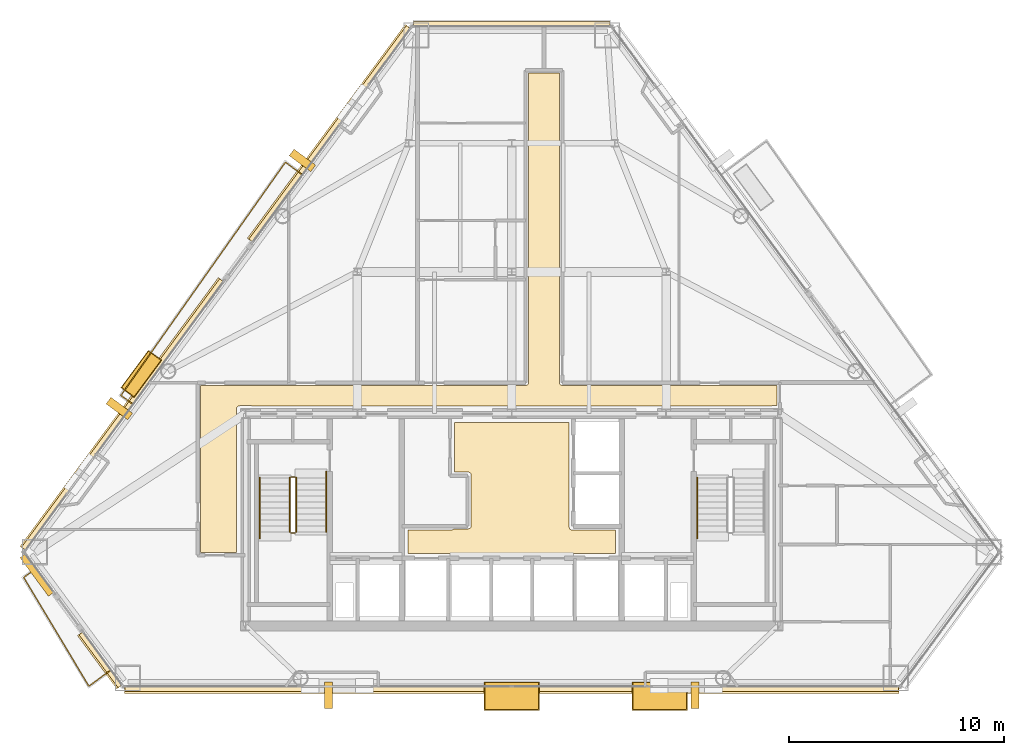
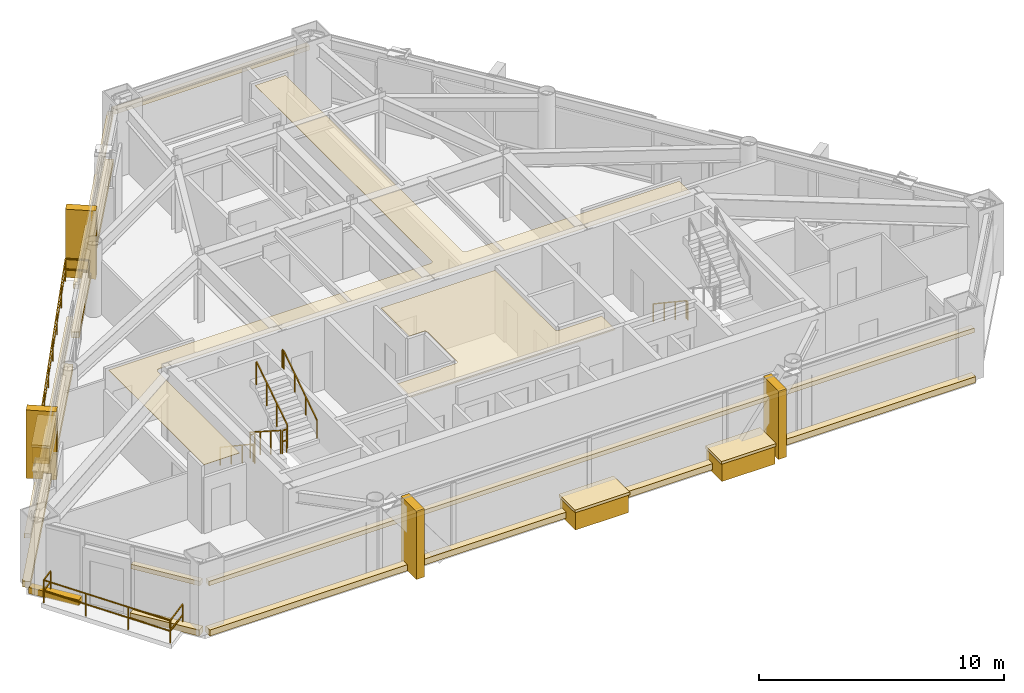
# One storey, part 10 of 11: 22 coverings, 9 railings.
"""IFC4 building model written with IfcOpenShell, lengths in metres."""

from ifc_helpers import new_model, si_unit, direction, frame, origin, origin_2d, place, context, subcontext, project, spatial, polyline, rectangle, outline, extrude, material, layer, layer_set, type_object, element, save


model = new_model("IFC4")

# Units and contexts
model_context = context("Model", 3, precision=1e-05, world=origin(), true_north=direction((0.0, 1.0)))
body_context = subcontext(model_context, "Body", "Model", "MODEL_VIEW")
ifc_project = project(units=[si_unit("LENGTHUNIT", "METRE"), si_unit("AREAUNIT", "SQUARE_METRE"), si_unit("VOLUMEUNIT", "CUBIC_METRE"), si_unit("PLANEANGLEUNIT", "RADIAN"), si_unit("MASSUNIT", "GRAM", prefix="KILO")], contexts=[model_context])

# Site, building, storey
site_placement = place(None, origin())
site = spatial("IfcSite", under=ifc_project, at=site_placement, CompositionType="ELEMENT")
building_placement = place(site_placement, origin())
building = spatial("IfcBuilding", under=site, at=building_placement, Name="Talgorran Terracotta Tower", CompositionType="ELEMENT")
storey_placement = place(building_placement, frame((0.0, 0.0, 158.10009765625)))
storey = spatial("IfcBuildingStorey", under=building, at=storey_placement, Name="L41", CompositionType="ELEMENT", Elevation=158.10009765625)

# Coverings
ifc_material_1 = material(Name="Kiln-Fired Terracotta Ochre Ceramic", Category="masonry")
ifc_layer_1 = layer(ifc_material_1, 0.179931640625, Name="COV_BAGUETTE_TERRACOTTA_SCREEN")
ifc_layer_set_1 = layer_set([ifc_layer_1], Name="Kiln-Fired Terracotta Ochre Ceramic")
covering_type_1 = type_object("IfcCoveringType", Name="COV_BAGUETTE_TERRACOTTA_SCREEN", PredefinedType="CLADDING", material=ifc_layer_set_1)
covering_1_placement = place(storey_placement, frame((-19.156005859375, -15.66796875, 2.41015625), z_axis=(0.0, 0.0, 1.0), x_axis=(0.593770031276, -0.804634792909, 0.0)))
element("IfcCovering", 1, at=covering_1_placement, inside=storey, type_object=covering_type_1, Name="L41 Terracotta Baguette Solar Screen Assembly F11", PredefinedType="CLADDING", context=body_context, shape_type="SweptSolid", body=[
    extrude(rectangle(XDim=3.064697265625, YDim=0.260009765625, at=origin_2d()), origin(), (0.0, 0.0, 1.0), 0.219970703125),
])
covering_2_placement = place(storey_placement, frame((0.0, -17.030029296875, 2.41015625), z_axis=(0.0, 0.0, 1.0), x_axis=(1.0, 0.0, 0.0)))
element("IfcCovering", 2, at=covering_2_placement, inside=storey, type_object=covering_type_1, Name="L41 Terracotta Baguette Solar Screen Assembly F1", PredefinedType="CLADDING", context=body_context, shape_type="SweptSolid", body=[
    extrude(rectangle(XDim=36.060302734375, YDim=0.260009765625, at=origin_2d()), origin(), (0.0, 0.0, 1.0), 0.219970703125),
])
covering_3_placement = place(storey_placement, frame((0.0, 13.9345703125, 2.41015625), z_axis=(0.0, 0.0, 1.0), x_axis=(-1.0, 0.0, 0.0)))
element("IfcCovering", 3, at=covering_3_placement, inside=storey, type_object=covering_type_1, Name="L41 Terracotta Baguette Solar Screen Assembly F4", PredefinedType="CLADDING", context=body_context, shape_type="SweptSolid", body=[
    extrude(rectangle(XDim=9.177978515625, YDim=0.260009765625, at=origin_2d()), origin(), (0.0, 0.0, 1.0), 0.219970703125),
])
covering_4_placement = place(storey_placement, frame((-8.476318359375, 8.830078125, 2.41015625), z_axis=(0.0, 0.0, 1.0), x_axis=(-0.593784074712, -0.804624429544, 0.0)))
element("IfcCovering", 4, at=covering_4_placement, inside=storey, type_object=covering_type_1, Name="L41 Terracotta Baguette Solar Screen Assembly F60", PredefinedType="CLADDING", context=body_context, shape_type="SweptSolid", body=[
    extrude(rectangle(XDim=12.36669921875, YDim=0.260009765625, at=origin_2d()), origin(), (0.0, 0.0, 1.0), 0.219970703125),
])
covering_5_placement = place(storey_placement, frame((-18.1298828125, -4.251220703125, 2.41015625), z_axis=(0.0, 0.0, 1.0), x_axis=(-0.593784074712, -0.804624429544, 0.0)))
element("IfcCovering", 5, at=covering_5_placement, inside=storey, type_object=covering_type_1, Name="L41 Terracotta Baguette Solar Screen Assembly F61", PredefinedType="CLADDING", context=body_context, shape_type="SweptSolid", body=[
    extrude(rectangle(XDim=15.549072265625, YDim=0.260009765625, at=origin_2d()), origin(), (0.0, 0.0, 1.0), 0.219970703125),
])
ifc_material_2 = material(Name="Mineral Fibre Acoustic Tile")
ifc_layer_2 = layer(ifc_material_2, 0.02490234375, Name="COV_CEIL_ACOUSTIC")
ifc_layer_set_2 = layer_set([ifc_layer_2], Name="Mineral Fibre Acoustic Tile")
covering_type_2 = type_object("IfcCoveringType", Name="COV_CEIL_ACOUSTIC", PredefinedType="CEILING", material=ifc_layer_set_2)
covering_6_placement = place(storey_placement, frame((0.0, 0.0, 3.260009765625)))
element("IfcCovering", 6, at=covering_6_placement, inside=storey, type_object=covering_type_2, Name="CEIL-L41-2", PredefinedType="CEILING", context=body_context, shape_type="SweptSolid", body=[
    extrude(outline(polyline([(-12.6884765625, -3.84521484375), (-12.703369140625, -3.84521484375), (-12.715087890625, -3.845947265625), (-12.7265625, -3.84765625), (-12.73779296875, -3.8505859375), (-12.748779296875, -3.8544921875), (-12.75927734375, -3.859375), (-12.76708984375, -3.863525390625), (-12.777099609375, -3.86962890625), (-12.78662109375, -3.876708984375), (-12.79541015625, -3.884521484375), (-12.803466796875, -3.893310546875), (-12.810302734375, -3.90283203125), (-12.81640625, -3.9130859375), (-12.820556640625, -3.920654296875), (-12.82568359375, -3.931396484375), (-12.82958984375, -3.9423828125), (-12.83251953125, -3.953857421875), (-12.833984375, -3.96533203125), (-12.834716796875, -3.97705078125), (-12.8349609375, -10.6650390625), (-14.514892578125, -10.6650390625), (-14.514892578125, -2.885009765625), (0.64990234375, -2.885009765625), (0.66162109375, -2.884521484375), (0.67333984375, -2.8828125), (0.6845703125, -2.8798828125), (0.69287109375, -2.87744140625), (0.7041015625, -2.87353515625), (0.714599609375, -2.868408203125), (0.724853515625, -2.8623046875), (0.734375, -2.85546875), (0.742919921875, -2.847412109375), (0.7509765625, -2.8388671875), (0.756591796875, -2.83203125), (0.763671875, -2.822509765625), (0.769775390625, -2.8125), (0.774658203125, -2.8017578125), (0.77880859375, -2.79052734375), (0.781494140625, -2.779296875), (0.783203125, -2.767578125), (0.783935546875, -2.755615234375), (0.784912109375, 11.6650390625), (2.215087890625, 11.6650390625), (2.215087890625, -2.75), (2.215576171875, -2.76171875), (2.21728515625, -2.773193359375), (2.22021484375, -2.78466796875), (2.22265625, -2.79296875), (2.2265625, -2.803955078125), (2.231689453125, -2.814697265625), (2.237548828125, -2.82470703125), (2.24462890625, -2.834228515625), (2.25244140625, -2.843017578125), (2.26123046875, -2.850830078125), (2.26806640625, -2.8564453125), (2.277587890625, -2.863525390625), (2.28759765625, -2.86962890625), (2.29833984375, -2.874755859375), (2.309326171875, -2.878662109375), (2.32080078125, -2.881591796875), (2.33251953125, -2.88330078125), (2.34423828125, -2.8837890625), (12.364990234375, -2.885009765625), (12.364990234375, -3.830078125), (12.169921875, -3.830078125), (12.158203125, -3.83056640625), (12.146484375, -3.832275390625), (12.13525390625, -3.835205078125), (12.1240234375, -3.839111328125), (12.11328125, -3.84423828125), (12.112060546875, -3.844970703125), (7.432861328125, -3.844970703125), (6.968017578125, -3.843017578125), (6.967529296875, -3.843017578125), (0.232666015625, -3.844970703125), (-0.23193359375, -3.843017578125), (-0.232421875, -3.843017578125), (-6.96728515625, -3.844970703125), (-7.431884765625, -3.843017578125), (-7.4326171875, -3.843017578125), (-12.112060546875, -3.844970703125), (-12.11328125, -3.84423828125), (-12.1240234375, -3.839111328125), (-12.13525390625, -3.835205078125), (-12.146484375, -3.832275390625), (-12.158203125, -3.83056640625), (-12.169921875, -3.830078125), (-12.6298828125, -3.830078125), (-12.641845703125, -3.83056640625), (-12.6533203125, -3.832275390625), (-12.664794921875, -3.835205078125), (-12.67578125, -3.839111328125), (-12.6865234375, -3.84423828125), (-12.6884765625, -3.84521484375)])), origin(), (0.0, 0.0, 1.0), 0.019775390625),
])
ifc_material_3 = material(Name="Flush Moisture-Resistant Plaster")
ifc_layer_3 = layer(ifc_material_3, 0.01806640625, Name="COV_CEIL_PLASTER")
ifc_layer_set_3 = layer_set([ifc_layer_3], Name="Flush Moisture-Resistant Plaster")
covering_type_3 = type_object("IfcCoveringType", Name="COV_CEIL_PLASTER", PredefinedType="CEILING", material=ifc_layer_set_3)
covering_7_placement = place(storey_placement, frame((0.0, 0.0, 3.260009765625)))
element("IfcCovering", 7, at=covering_7_placement, inside=storey, type_object=covering_type_3, Name="CEIL-L41-1", PredefinedType="CEILING", context=body_context, shape_type="SweptSolid", body=[
    extrude(outline(polyline([(-2.70263671875, -9.570068359375), (-2.02001953125, -9.570068359375), (-2.00830078125, -9.5693359375), (-1.99658203125, -9.567626953125), (-1.985107421875, -9.564697265625), (-1.97412109375, -9.560791015625), (-1.96337890625, -9.555908203125), (-1.953369140625, -9.5498046875), (-1.94384765625, -9.542724609375), (-1.93505859375, -9.534912109375), (-1.92724609375, -9.526123046875), (-1.920166015625, -9.5166015625), (-1.914306640625, -9.506591796875), (-1.9091796875, -9.495849609375), (-1.9052734375, -9.48486328125), (-1.90234375, -9.473388671875), (-1.900634765625, -9.4619140625), (-1.89990234375, -9.449951171875), (-1.89990234375, -7.050048828125), (-1.900634765625, -7.0380859375), (-1.90234375, -7.026611328125), (-1.9052734375, -7.01513671875), (-1.9091796875, -7.004150390625), (-1.914306640625, -6.993408203125), (-1.920166015625, -6.9833984375), (-1.92724609375, -6.973876953125), (-1.93505859375, -6.965087890625), (-1.94384765625, -6.957275390625), (-1.953369140625, -6.9501953125), (-1.96337890625, -6.944091796875), (-1.97412109375, -6.939208984375), (-1.985107421875, -6.935302734375), (-1.99658203125, -6.932373046875), (-2.00830078125, -6.9306640625), (-2.02001953125, -6.929931640625), (-2.679931640625, -6.929931640625), (-2.679931640625, -4.6201171875), (2.679931640625, -4.6201171875), (2.679931640625, -9.5), (2.6806640625, -9.51171875), (2.682373046875, -9.5234375), (2.685302734375, -9.534912109375), (2.689208984375, -9.5458984375), (2.694091796875, -9.556640625), (2.7001953125, -9.566650390625), (2.707275390625, -9.576171875), (2.715087890625, -9.5849609375), (2.723876953125, -9.5927734375), (2.7333984375, -9.599853515625), (2.743408203125, -9.605712890625), (2.754150390625, -9.61083984375), (2.76513671875, -9.61474609375), (2.776611328125, -9.61767578125), (2.7880859375, -9.619384765625), (2.800048828125, -9.6201171875), (4.830078125, -9.6201171875), (4.830078125, -10.72998046875), (-4.830078125, -10.72998046875), (-4.830078125, -9.6201171875), (-2.800048828125, -9.6201171875), (-2.7880859375, -9.619384765625), (-2.776611328125, -9.61767578125), (-2.76513671875, -9.61474609375), (-2.754150390625, -9.61083984375), (-2.743408203125, -9.605712890625), (-2.7333984375, -9.599853515625), (-2.723876953125, -9.5927734375), (-2.715087890625, -9.5849609375), (-2.707275390625, -9.576171875), (-2.70263671875, -9.570068359375)])), origin(), (0.0, 0.0, 1.0), 0.019775390625),
])
ifc_material_4 = material(Name="Honed Limestone and Terracotta Planter", Category="masonry")
ifc_layer_4 = layer(ifc_material_4, 0.1201171875, Name="COV_PLANTER_BOX")
ifc_layer_set_4 = layer_set([ifc_layer_4], Name="Honed Limestone and Terracotta Planter")
covering_type_4 = type_object("IfcCoveringType", Name="COV_PLANTER_BOX", PredefinedType="CLADDING", material=ifc_layer_set_4)
for number, where, z_axis, x_axis, name in (
    (8, (0.0, -17.3701171875, -0.18017578125), (0.0, 0.0, 1.0), (1.0, 0.0, 0.0), "L41 Staggered South Facade Planter Box 1"),
    (9, (6.901123046875, -17.3701171875, -0.18017578125), (0.0, 0.0, 1.0), (1.0, 0.0, 0.0), "L41 Staggered South Facade Planter Box 2"),
):
    element("IfcCovering", number, at=place(storey_placement, frame(where, z_axis=z_axis, x_axis=x_axis)), inside=storey, type_object=covering_type_4, Name=name, PredefinedType="CLADDING", context=body_context, shape_type="SweptSolid", body=[
        extrude(rectangle(XDim=2.5, YDim=1.25, at=origin_2d()), origin(), (0.0, 0.0, 1.0), 0.919921875),
    ])
covering_8_placement = place(storey_placement, frame((-17.268310546875, -2.350830078125, -0.02001953125), z_axis=(0.0, 0.0, 1.0), x_axis=(-0.593784074712, -0.804624429544, 0.0)))
element("IfcCovering", 10, at=covering_8_placement, inside=storey, type_object=covering_type_4, Name="L41 Staggered Balcony Planter Box BAL-NW", PredefinedType="CLADDING", context=body_context, shape_type="SweptSolid", body=[
    extrude(rectangle(XDim=2.10009765625, YDim=0.719970703125, at=origin_2d()), origin(), (0.0, 0.0, 1.0), 0.860107421875),
])
ifc_material_5 = material(Name="Kiln-Fired Terracotta Planter Rim", Category="masonry")
ifc_layer_5 = layer(ifc_material_5, 0.10009765625, Name="COV_PLANTER_RIM")
ifc_layer_set_5 = layer_set([ifc_layer_5], Name="Kiln-Fired Terracotta Planter Rim")
covering_type_5 = type_object("IfcCoveringType", Name="COV_PLANTER_RIM", PredefinedType="CLADDING", material=ifc_layer_set_5)
for number, where, z_axis, x_axis, name in (
    (11, (0.0, -17.3701171875, 0.7099609375), (0.0, 0.0, 1.0), (1.0, 0.0, 0.0), "L41 South Planter Terracotta Rim 1"),
    (12, (6.901123046875, -17.3701171875, 0.7099609375), (0.0, 0.0, 1.0), (1.0, 0.0, 0.0), "L41 South Planter Terracotta Rim 2"),
):
    element("IfcCovering", number, at=place(storey_placement, frame(where, z_axis=z_axis, x_axis=x_axis)), inside=storey, type_object=covering_type_5, Name=name, PredefinedType="CLADDING", context=body_context, shape_type="SweptSolid", body=[
        extrude(rectangle(XDim=2.580078125, YDim=1.320068359375, at=origin_2d()), origin(), (0.0, 0.0, 1.0), 0.139892578125),
    ])
covering_9_placement = place(storey_placement, frame((-17.268310546875, -2.350830078125, 0.7998046875), z_axis=(0.0, 0.0, 1.0), x_axis=(-0.593784074712, -0.804624429544, 0.0)))
element("IfcCovering", 13, at=covering_9_placement, inside=storey, type_object=covering_type_5, Name="L41 Balcony Planter Terracotta Rim BAL-NW", PredefinedType="CLADDING", context=body_context, shape_type="SweptSolid", body=[
    extrude(rectangle(XDim=2.179931640625, YDim=0.780029296875, at=origin_2d()), origin(), (0.0, 0.0, 1.0), 0.1201171875),
])
ifc_material_6 = material(Name="Honed Limestone Cladding", Category="masonry")
ifc_layer_6 = layer(ifc_material_6, 0.094970703125, Name="COV_PORTAL_LIME")
ifc_layer_set_6 = layer_set([ifc_layer_6], Name="Honed Limestone Cladding")
covering_type_6 = type_object("IfcCoveringType", Name="COV_PORTAL_LIME", PredefinedType="CLADDING", material=ifc_layer_set_6)
for number, where, z_axis, x_axis, name in (
    (14, (-8.53564453125, -17.330078125, -0.050048828125), (0.0, 0.0, 1.0), (1.0, 0.0, 0.0), "L41 White Striped Portal Fin F1-1"),
    (15, (-9.757568359375, 7.599365234375, -0.050048828125), (0.0, 0.0, 1.0), (-0.593784074712, -0.804624429544, 0.0), "L41 White Striped Portal Fin F5-1"),
):
    element("IfcCovering", number, at=place(storey_placement, frame(where, z_axis=z_axis, x_axis=x_axis)), inside=storey, type_object=covering_type_6, Name=name, PredefinedType="CLADDING", context=body_context, shape_type="SweptSolid", body=[
        extrude(rectangle(XDim=0.3798828125, YDim=1.25, at=origin_2d()), origin(), (0.0, 0.0, 1.0), 3.39990234375),
    ])
ifc_material_7 = material(Name="Kiln-Fired Terracotta Cladding", Category="masonry")
ifc_layer_7 = layer(ifc_material_7, 0.090087890625, Name="COV_PORTAL_TERRA")
ifc_layer_set_7 = layer_set([ifc_layer_7], Name="Kiln-Fired Terracotta Cladding")
covering_type_7 = type_object("IfcCoveringType", Name="COV_PORTAL_TERRA", PredefinedType="CLADDING", material=ifc_layer_set_7)
covering_10_placement = place(storey_placement, frame((-22.12109375, -11.71728515625, -0.0400390625), z_axis=(0.0, 0.0, 1.0), x_axis=(0.593798117967, -0.804614065934, 0.0)))
element("IfcCovering", 16, at=covering_10_placement, inside=storey, type_object=covering_type_7, Name="L41 Striped Postmodern Portal Cladding Band F10", PredefinedType="CLADDING", context=body_context, shape_type="SweptSolid", body=[
    extrude(rectangle(XDim=2.234619140625, YDim=0.340087890625, at=origin_2d()), origin(), (0.0, 0.0, 1.0), 0.300048828125),
])
covering_11_placement = place(storey_placement, frame((-19.18798828125, -15.691650390625, -0.0400390625), z_axis=(0.0, 0.0, 1.0), x_axis=(0.593770031276, -0.804634792909, 0.0)))
element("IfcCovering", 17, at=covering_11_placement, inside=storey, type_object=covering_type_7, Name="L41 Striped Postmodern Portal Cladding Band F11", PredefinedType="CLADDING", context=body_context, shape_type="SweptSolid", body=[
    extrude(rectangle(XDim=3.084716796875, YDim=0.340087890625, at=origin_2d()), origin(), (0.0, 0.0, 1.0), 0.300048828125),
])
covering_12_placement = place(storey_placement, frame((0.0, -17.070068359375, -0.0400390625), z_axis=(0.0, 0.0, 1.0), x_axis=(1.0, 0.0, 0.0)))
element("IfcCovering", 18, at=covering_12_placement, inside=storey, type_object=covering_type_7, Name="L41 Striped Postmodern Portal Cladding Band F1", PredefinedType="CLADDING", context=body_context, shape_type="SweptSolid", body=[
    extrude(rectangle(XDim=36.080322265625, YDim=0.340087890625, at=origin_2d()), origin(), (0.0, 0.0, 1.0), 0.300048828125),
])
covering_13_placement = place(storey_placement, frame((-8.508544921875, 8.85400390625, -0.0400390625), z_axis=(0.0, 0.0, 1.0), x_axis=(-0.593784074712, -0.804624429544, 0.0)))
element("IfcCovering", 19, at=covering_13_placement, inside=storey, type_object=covering_type_7, Name="L41 Striped Postmodern Portal Cladding Band F60", PredefinedType="CLADDING", context=body_context, shape_type="SweptSolid", body=[
    extrude(rectangle(XDim=12.38671875, YDim=0.340087890625, at=origin_2d()), origin(), (0.0, 0.0, 1.0), 0.300048828125),
])
covering_14_placement = place(storey_placement, frame((-18.162109375, -4.227294921875, -0.0400390625), z_axis=(0.0, 0.0, 1.0), x_axis=(-0.593784074712, -0.804624429544, 0.0)))
element("IfcCovering", 20, at=covering_14_placement, inside=storey, type_object=covering_type_7, Name="L41 Striped Postmodern Portal Cladding Band F61", PredefinedType="CLADDING", context=body_context, shape_type="SweptSolid", body=[
    extrude(rectangle(XDim=15.569091796875, YDim=0.340087890625, at=origin_2d()), origin(), (0.0, 0.0, 1.0), 0.300048828125),
])
for number, where, z_axis, x_axis, name in (
    (21, (8.53564453125, -17.330078125, -0.050048828125), (0.0, 0.0, 1.0), (1.0, 0.0, 0.0), "L41 Terracotta Striped Portal Fin F1-2"),
    (22, (-18.293212890625, -3.966796875, -0.050048828125), (0.0, 0.0, 1.0), (-0.593784074712, -0.804624429544, 0.0), "L41 Terracotta Striped Portal Fin F5-2"),
):
    element("IfcCovering", number, at=place(storey_placement, frame(where, z_axis=z_axis, x_axis=x_axis)), inside=storey, type_object=covering_type_7, Name=name, PredefinedType="CLADDING", context=body_context, shape_type="SweptSolid", body=[
        extrude(rectangle(XDim=0.3798828125, YDim=1.25, at=origin_2d()), origin(), (0.0, 0.0, 1.0), 3.39990234375),
    ])

# Railings
ifc_material_8 = material(Name="Laminated Glass and Stainless Steel 316", Category="steel")
railing_type_1 = type_object("IfcRailingType", Name="RL_BALCONY_1150", PredefinedType="BALUSTRADE", material=ifc_material_8)
railing_1_placement = place(storey_placement, frame((-9.771728515625, 6.940185546875, 0.0)))
element("IfcRailing", 23, at=railing_1_placement, inside=storey, type_object=railing_type_1, Name="RL-L41-BAL-BAL-NW", PredefinedType="BALUSTRADE", context=body_context, shape_type="SweptSolid", body=[
    extrude(rectangle(XDim=0.048095703125, YDim=0.048095703125, at=origin_2d()), frame((0.0, 0.0, 1.1259765625), z_axis=(-0.804548248178, 0.593887292635, 0.0), x_axis=(-0.593887292635, -0.804548248178, 0.0)), (0.0, 0.0, 1.0), 0.9677734375),
    extrude(rectangle(XDim=0.048095703125, YDim=0.048095703125, at=origin_2d()), frame((0.0, 0.0, 0.597900390625), z_axis=(-0.804548248178, 0.593887292635, 0.0), x_axis=(-0.593887292635, -0.804548248178, 0.0)), (0.0, 0.0, 1.0), 0.9677734375),
    extrude(rectangle(XDim=0.048095703125, YDim=0.048095703125, at=origin_2d()), frame((-0.778564453125, 0.57470703125, 1.1259765625), z_axis=(-0.576545540147, -0.817065015856, 0.0), x_axis=(0.817065015856, -0.576545540147, 0.0)), (0.0, 0.0, 1.0), 13.30029296875),
    extrude(rectangle(XDim=0.048095703125, YDim=0.048095703125, at=origin_2d()), frame((-0.778564453125, 0.57470703125, 0.597900390625), z_axis=(-0.576545540147, -0.817065015856, 0.0), x_axis=(0.817065015856, -0.576545540147, 0.0)), (0.0, 0.0, 1.0), 13.30029296875),
    extrude(rectangle(XDim=0.048095703125, YDim=0.048095703125, at=origin_2d()), frame((-8.44677734375, -10.29248046875, 1.1259765625), z_axis=(0.804553802816, -0.593879767608, 0.0), x_axis=(0.593879767608, 0.804553802816, 0.0)), (0.0, 0.0, 1.0), 0.684814453125),
    extrude(rectangle(XDim=0.048095703125, YDim=0.048095703125, at=origin_2d()), frame((-8.44677734375, -10.29248046875, 0.597900390625), z_axis=(0.804553802816, -0.593879767608, 0.0), x_axis=(0.593879767608, 0.804553802816, 0.0)), (0.0, 0.0, 1.0), 0.684814453125),
    extrude(rectangle(XDim=0.0419921875, YDim=0.0419921875, at=origin_2d()), origin(), (0.0, 0.0, 1.0), 1.101806640625),
    extrude(rectangle(XDim=0.0419921875, YDim=0.0419921875, at=origin_2d()), frame((-0.778564453125, 0.57470703125, 0.0)), (0.0, 0.0, 1.0), 1.101806640625),
    extrude(rectangle(XDim=0.0419921875, YDim=0.0419921875, at=origin_2d()), frame((-1.8740234375, -0.977783203125, 0.0)), (0.0, 0.0, 1.0), 1.101806640625),
    extrude(rectangle(XDim=0.0419921875, YDim=0.0419921875, at=origin_2d()), frame((-2.969482421875, -2.5302734375, 0.0)), (0.0, 0.0, 1.0), 1.101806640625),
    extrude(rectangle(XDim=0.0419921875, YDim=0.0419921875, at=origin_2d()), frame((-4.06494140625, -4.082763671875, 0.0)), (0.0, 0.0, 1.0), 1.101806640625),
    extrude(rectangle(XDim=0.0419921875, YDim=0.0419921875, at=origin_2d()), frame((-5.160400390625, -5.635009765625, 0.0)), (0.0, 0.0, 1.0), 1.101806640625),
    extrude(rectangle(XDim=0.0419921875, YDim=0.0419921875, at=origin_2d()), frame((-6.255859375, -7.1875, 0.0)), (0.0, 0.0, 1.0), 1.101806640625),
    extrude(rectangle(XDim=0.0419921875, YDim=0.0419921875, at=origin_2d()), frame((-7.351318359375, -8.739990234375, 0.0)), (0.0, 0.0, 1.0), 1.101806640625),
    extrude(rectangle(XDim=0.0419921875, YDim=0.0419921875, at=origin_2d()), frame((-8.44677734375, -10.29248046875, 0.0)), (0.0, 0.0, 1.0), 1.101806640625),
    extrude(rectangle(XDim=0.0419921875, YDim=0.0419921875, at=origin_2d()), frame((-7.895751953125, -10.69921875, 0.0)), (0.0, 0.0, 1.0), 1.101806640625),
])
railing_2_placement = place(storey_placement, frame((-22.18603515625, -11.427001953125, 0.0)))
element("IfcRailing", 24, at=railing_2_placement, inside=storey, type_object=railing_type_1, Name="RL-L41-BAL-BAL-SW", PredefinedType="BALUSTRADE", context=body_context, shape_type="SweptSolid", body=[
    extrude(rectangle(XDim=0.048095703125, YDim=0.048095703125, at=origin_2d()), frame((0.0, 0.0, 1.1259765625), z_axis=(-0.804518269216, -0.59392790345, 0.0), x_axis=(0.59392790345, -0.804518269216, 0.0)), (0.0, 0.0, 1.0), 0.69677734375),
    extrude(rectangle(XDim=0.048095703125, YDim=0.048095703125, at=origin_2d()), frame((0.0, 0.0, 0.597900390625), z_axis=(-0.804518269216, -0.59392790345, 0.0), x_axis=(0.59392790345, -0.804518269216, 0.0)), (0.0, 0.0, 1.0), 0.69677734375),
    extrude(rectangle(XDim=0.048095703125, YDim=0.048095703125, at=origin_2d()), frame((-0.560546875, -0.413818359375, 1.1259765625), z_axis=(0.514052041592, -0.857758997933, 0.0), x_axis=(0.857758997933, 0.514052041592, 0.0)), (0.0, 0.0, 1.0), 5.90771484375),
    extrude(rectangle(XDim=0.048095703125, YDim=0.048095703125, at=origin_2d()), frame((-0.560546875, -0.413818359375, 0.597900390625), z_axis=(0.514052041592, -0.857758997933, 0.0), x_axis=(0.857758997933, 0.514052041592, 0.0)), (0.0, 0.0, 1.0), 5.90771484375),
    extrude(rectangle(XDim=0.048095703125, YDim=0.048095703125, at=origin_2d()), frame((2.476318359375, -5.481201171875, 1.1259765625), z_axis=(0.804618084364, 0.593792672836, 0.0), x_axis=(-0.593792672836, 0.804618084364, 0.0)), (0.0, 0.0, 1.0), 1.26220703125),
    extrude(rectangle(XDim=0.048095703125, YDim=0.048095703125, at=origin_2d()), frame((2.476318359375, -5.481201171875, 0.597900390625), z_axis=(0.804618084364, 0.593792672836, 0.0), x_axis=(-0.593792672836, 0.804618084364, 0.0)), (0.0, 0.0, 1.0), 1.26220703125),
    extrude(rectangle(XDim=0.0419921875, YDim=0.0419921875, at=origin_2d()), origin(), (0.0, 0.0, 1.0), 1.101806640625),
    extrude(rectangle(XDim=0.0419921875, YDim=0.0419921875, at=origin_2d()), frame((-0.560546875, -0.413818359375, 0.0)), (0.0, 0.0, 1.0), 1.101806640625),
    extrude(rectangle(XDim=0.0419921875, YDim=0.0419921875, at=origin_2d()), frame((0.45166015625, -2.10302734375, 0.0)), (0.0, 0.0, 1.0), 1.101806640625),
    extrude(rectangle(XDim=0.0419921875, YDim=0.0419921875, at=origin_2d()), frame((1.464111328125, -3.7919921875, 0.0)), (0.0, 0.0, 1.0), 1.101806640625),
    extrude(rectangle(XDim=0.0419921875, YDim=0.0419921875, at=origin_2d()), frame((2.476318359375, -5.481201171875, 0.0)), (0.0, 0.0, 1.0), 1.101806640625),
    extrude(rectangle(XDim=0.0419921875, YDim=0.0419921875, at=origin_2d()), frame((3.491943359375, -4.731689453125, 0.0)), (0.0, 0.0, 1.0), 1.101806640625),
])
ifc_material_9 = material(Name="Steel S355 (300PLUS)", Category="steel")
railing_type_2 = type_object("IfcRailingType", Name="RL_HANDRAIL_920", PredefinedType="HANDRAIL", material=ifc_material_9)
railing_3_placement = place(storey_placement, frame((-11.75, -7.199951171875, 0.179931640625)))
element("IfcRailing", 25, at=railing_3_placement, inside=storey, type_object=railing_type_2, Name="L41 ST-01 stair handrail 1", PredefinedType="HANDRAIL", context=body_context, shape_type="SweptSolid", body=[
    extrude(rectangle(XDim=0.048095703125, YDim=0.048095703125, at=origin_2d()), frame((0.0, 0.0, 0.89599609375), z_axis=(0.0, -0.832038719335, 0.554717558338), x_axis=(1.0, 0.0, 0.0)), (0.0, 0.0, 1.0), 3.244873046875),
    extrude(rectangle(XDim=0.048095703125, YDim=0.048095703125, at=origin_2d()), frame((0.0, -2.699951171875, 2.69580078125), z_axis=(0.0, -1.0, 0.0), x_axis=(1.0, 0.0, 0.0)), (0.0, 0.0, 1.0), 0.1201171875),
    extrude(rectangle(XDim=0.0419921875, YDim=0.0419921875, at=origin_2d()), origin(), (0.0, 0.0, 1.0), 0.871826171875),
    extrude(rectangle(XDim=0.0419921875, YDim=0.0419921875, at=origin_2d()), frame((0.0, -0.89990234375, 0.60009765625)), (0.0, 0.0, 1.0), 0.871826171875),
    extrude(rectangle(XDim=0.0419921875, YDim=0.0419921875, at=origin_2d()), frame((0.0, -1.800048828125, 1.199951171875)), (0.0, 0.0, 1.0), 0.871826171875),
    extrude(rectangle(XDim=0.0419921875, YDim=0.0419921875, at=origin_2d()), frame((0.0, -2.699951171875, 1.800048828125)), (0.0, 0.0, 1.0), 0.871826171875),
    extrude(rectangle(XDim=0.0419921875, YDim=0.0419921875, at=origin_2d()), frame((0.0, -2.820068359375, 1.800048828125)), (0.0, 0.0, 1.0), 0.871826171875),
])
railing_4_placement = place(storey_placement, frame((-8.64990234375, -9.719970703125, 1.97998046875)))
element("IfcRailing", 26, at=railing_4_placement, inside=storey, type_object=railing_type_2, Name="L41 ST-01 stair handrail 2", PredefinedType="HANDRAIL", context=body_context, shape_type="SweptSolid", body=[
    extrude(rectangle(XDim=0.048095703125, YDim=0.048095703125, at=origin_2d()), frame((0.0, 0.0, 0.89599609375), z_axis=(0.0, 0.832073444223, 0.554665469827), x_axis=(-1.0, 0.0, 0.0)), (0.0, 0.0, 1.0), 3.244873046875),
    extrude(rectangle(XDim=0.048095703125, YDim=0.048095703125, at=origin_2d()), frame((0.0, 2.699951171875, 2.69580078125), z_axis=(0.0, 1.0, 0.0), x_axis=(-1.0, 0.0, 0.0)), (0.0, 0.0, 1.0), 0.1201171875),
    extrude(rectangle(XDim=0.0419921875, YDim=0.0419921875, at=origin_2d()), origin(), (0.0, 0.0, 1.0), 0.871826171875),
    extrude(rectangle(XDim=0.0419921875, YDim=0.0419921875, at=origin_2d()), frame((0.0, 0.89990234375, 0.599853515625)), (0.0, 0.0, 1.0), 0.871826171875),
    extrude(rectangle(XDim=0.0419921875, YDim=0.0419921875, at=origin_2d()), frame((0.0, 1.800048828125, 1.199951171875)), (0.0, 0.0, 1.0), 0.871826171875),
    extrude(rectangle(XDim=0.0419921875, YDim=0.0419921875, at=origin_2d()), frame((0.0, 2.699951171875, 1.7998046875)), (0.0, 0.0, 1.0), 0.871826171875),
    extrude(rectangle(XDim=0.0419921875, YDim=0.0419921875, at=origin_2d()), frame((0.0, 2.820068359375, 1.7998046875)), (0.0, 0.0, 1.0), 0.871826171875),
])
railing_5_placement = place(storey_placement, frame((8.64990234375, -7.199951171875, 0.179931640625)))
element("IfcRailing", 27, at=railing_5_placement, inside=storey, type_object=railing_type_2, Name="L41 ST-02 stair handrail 1", PredefinedType="HANDRAIL", context=body_context, shape_type="SweptSolid", body=[
    extrude(rectangle(XDim=0.048095703125, YDim=0.048095703125, at=origin_2d()), frame((0.0, 0.0, 0.89599609375), z_axis=(0.0, -0.832038719335, 0.554717558338), x_axis=(1.0, 0.0, 0.0)), (0.0, 0.0, 1.0), 3.244873046875),
    extrude(rectangle(XDim=0.048095703125, YDim=0.048095703125, at=origin_2d()), frame((0.0, -2.699951171875, 2.69580078125), z_axis=(0.0, -1.0, 0.0), x_axis=(1.0, 0.0, 0.0)), (0.0, 0.0, 1.0), 0.1201171875),
    extrude(rectangle(XDim=0.0419921875, YDim=0.0419921875, at=origin_2d()), origin(), (0.0, 0.0, 1.0), 0.871826171875),
    extrude(rectangle(XDim=0.0419921875, YDim=0.0419921875, at=origin_2d()), frame((0.0, -0.89990234375, 0.60009765625)), (0.0, 0.0, 1.0), 0.871826171875),
    extrude(rectangle(XDim=0.0419921875, YDim=0.0419921875, at=origin_2d()), frame((0.0, -1.800048828125, 1.199951171875)), (0.0, 0.0, 1.0), 0.871826171875),
    extrude(rectangle(XDim=0.0419921875, YDim=0.0419921875, at=origin_2d()), frame((0.0, -2.699951171875, 1.800048828125)), (0.0, 0.0, 1.0), 0.871826171875),
    extrude(rectangle(XDim=0.0419921875, YDim=0.0419921875, at=origin_2d()), frame((0.0, -2.820068359375, 1.800048828125)), (0.0, 0.0, 1.0), 0.871826171875),
])
railing_type_3 = type_object("IfcRailingType", Name="RL_STAIR_GUARD", PredefinedType="GUARDRAIL", material=ifc_material_9)
railing_6_placement = place(storey_placement, frame((-10.35009765625, -7.199951171875, 0.179931640625)))
element("IfcRailing", 28, at=railing_6_placement, inside=storey, type_object=railing_type_3, Name="L41 ST-01 stair guard 1", PredefinedType="GUARDRAIL", context=body_context, shape_type="SweptSolid", body=[
    extrude(rectangle(XDim=0.048095703125, YDim=0.048095703125, at=origin_2d()), frame((0.0, 0.0, 1.15576171875), z_axis=(0.0, -0.841199657755, 0.540724639528), x_axis=(1.0, 0.0, 0.0)), (0.0, 0.0, 1.0), 2.995849609375),
    extrude(rectangle(XDim=0.0419921875, YDim=0.0419921875, at=origin_2d()), origin(), (0.0, 0.0, 1.0), 1.1318359375),
    extrude(rectangle(XDim=0.0419921875, YDim=0.0419921875, at=origin_2d()), frame((0.0, -0.840087890625, 0.5400390625)), (0.0, 0.0, 1.0), 1.1318359375),
    extrude(rectangle(XDim=0.0419921875, YDim=0.0419921875, at=origin_2d()), frame((0.0, -1.679931640625, 1.079833984375)), (0.0, 0.0, 1.0), 1.1318359375),
    extrude(rectangle(XDim=0.0419921875, YDim=0.0419921875, at=origin_2d()), frame((0.0, -2.52001953125, 1.619873046875)), (0.0, 0.0, 1.0), 1.1318359375),
])
railing_7_placement = place(storey_placement, frame((-10.300048828125, -9.77001953125, 1.7998046875)))
element("IfcRailing", 29, at=railing_7_placement, inside=storey, type_object=railing_type_3, Name="L41 ST-01 stair guard 2", PredefinedType="GUARDRAIL", context=body_context, shape_type="SweptSolid", body=[
    extrude(rectangle(XDim=0.048095703125, YDim=0.048095703125, at=origin_2d()), frame((0.0, 0.0, 1.15576171875), z_axis=(1.0, 0.0, 0.0), x_axis=(0.0, 1.0, 0.0)), (0.0, 0.0, 1.0), 0.199951171875),
    extrude(rectangle(XDim=0.048095703125, YDim=0.048095703125, at=origin_2d()), frame((0.0, 0.0, 0.613525390625), z_axis=(1.0, 0.0, 0.0), x_axis=(0.0, 1.0, 0.0)), (0.0, 0.0, 1.0), 0.199951171875),
    extrude(rectangle(XDim=0.0419921875, YDim=0.0419921875, at=origin_2d()), origin(), (0.0, 0.0, 1.0), 1.1318359375),
    extrude(rectangle(XDim=0.0419921875, YDim=0.0419921875, at=origin_2d()), frame((0.199951171875, 0.0, 0.0)), (0.0, 0.0, 1.0), 1.1318359375),
])
railing_8_placement = place(storey_placement, frame((-10.050048828125, -9.719970703125, 1.97998046875)))
element("IfcRailing", 30, at=railing_8_placement, inside=storey, type_object=railing_type_3, Name="L41 ST-01 stair guard 3", PredefinedType="GUARDRAIL", context=body_context, shape_type="SweptSolid", body=[
    extrude(rectangle(XDim=0.048095703125, YDim=0.048095703125, at=origin_2d()), frame((0.0, 0.0, 1.15576171875), z_axis=(0.0, 0.841199657755, 0.540724639528), x_axis=(-1.0, 0.0, 0.0)), (0.0, 0.0, 1.0), 2.995849609375),
    extrude(rectangle(XDim=0.0419921875, YDim=0.0419921875, at=origin_2d()), origin(), (0.0, 0.0, 1.0), 1.1318359375),
    extrude(rectangle(XDim=0.0419921875, YDim=0.0419921875, at=origin_2d()), frame((0.0, 0.840087890625, 0.5400390625)), (0.0, 0.0, 1.0), 1.1318359375),
    extrude(rectangle(XDim=0.0419921875, YDim=0.0419921875, at=origin_2d()), frame((0.0, 1.679931640625, 1.079833984375)), (0.0, 0.0, 1.0), 1.1318359375),
    extrude(rectangle(XDim=0.0419921875, YDim=0.0419921875, at=origin_2d()), frame((0.0, 2.52001953125, 1.619873046875)), (0.0, 0.0, 1.0), 1.1318359375),
])
railing_9_placement = place(storey_placement, frame((-10.300048828125, -7.14990234375, 0.0)))
element("IfcRailing", 31, at=railing_9_placement, inside=storey, type_object=railing_type_3, Name="L41 ST-01 stair guard 4", PredefinedType="GUARDRAIL", context=body_context, shape_type="SweptSolid", body=[
    extrude(rectangle(XDim=0.048095703125, YDim=0.048095703125, at=origin_2d()), frame((0.0, 0.0, 1.15576171875), z_axis=(1.0, 0.0, 0.0), x_axis=(0.0, 1.0, 0.0)), (0.0, 0.0, 1.0), 0.199951171875),
    extrude(rectangle(XDim=0.048095703125, YDim=0.048095703125, at=origin_2d()), frame((0.0, 0.0, 0.613525390625), z_axis=(1.0, 0.0, 0.0), x_axis=(0.0, 1.0, 0.0)), (0.0, 0.0, 1.0), 0.199951171875),
    extrude(rectangle(XDim=0.0419921875, YDim=0.0419921875, at=origin_2d()), origin(), (0.0, 0.0, 1.0), 1.1318359375),
    extrude(rectangle(XDim=0.0419921875, YDim=0.0419921875, at=origin_2d()), frame((0.199951171875, 0.0, 0.0)), (0.0, 0.0, 1.0), 1.1318359375),
])

save(model, "model.ifc")
